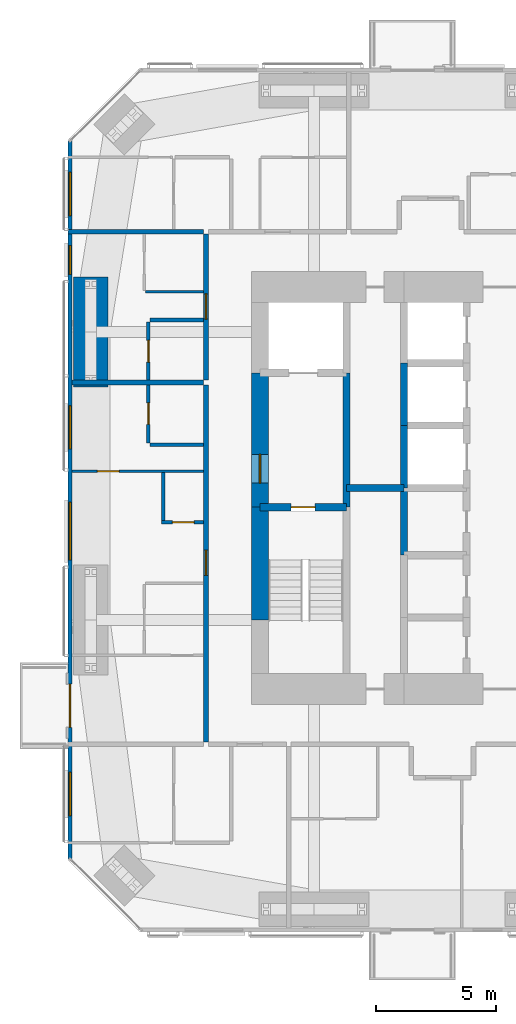
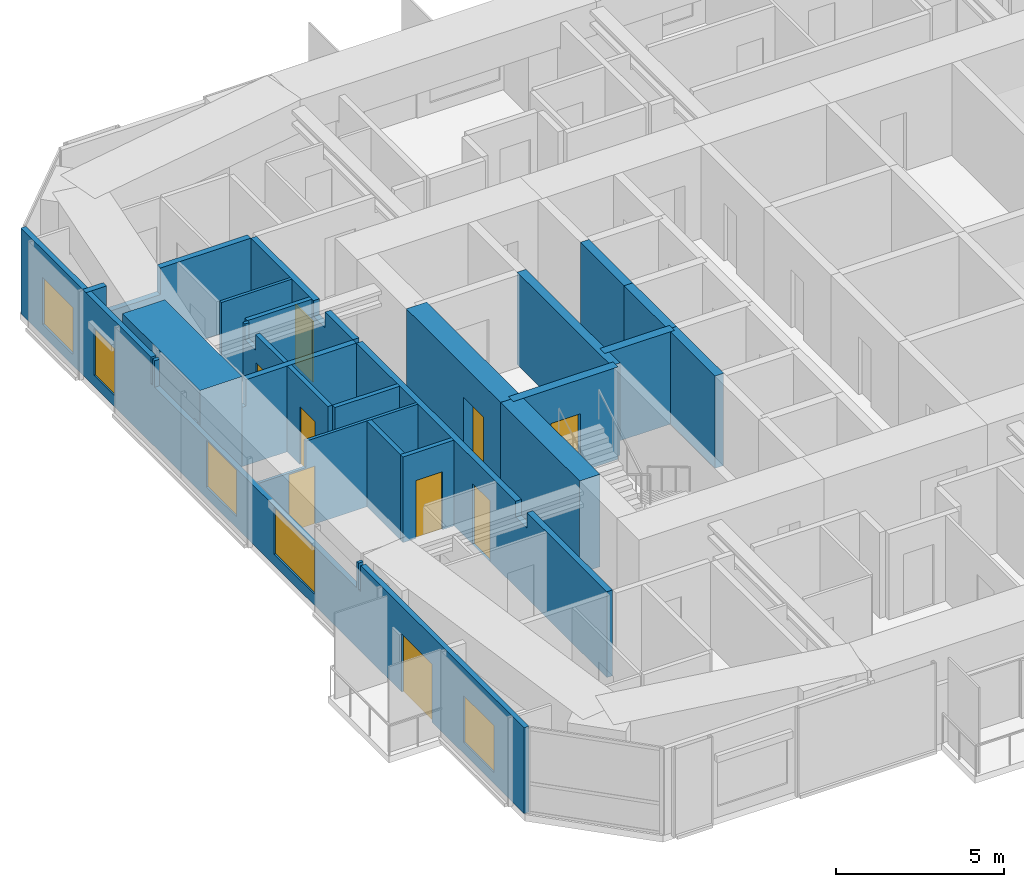
# One storey, part 17 of 23: 22 walls, 9 doors, 5 windows, 14 openings.
"""IFC4 building model written with IfcOpenShell, lengths in metres."""

import ifcopenshell
import ifcopenshell.guid

model = None  # the IFC model being written
_history = None  # IfcOwnerHistory: only IFC2X3 demands one
_inside = {}  # id of a spatial element -> (the spatial element, [elements in it])
_under = {}  # id of a project, library or spatial element -> (it, [spatial elements below it])
_declared = {}  # id of a project -> (the project, [libraries it declares])
_typed = {}  # id of a type object -> (the type object, [elements of that type])
_made_of = {}  # id of a material, layer set ... -> (it, [elements and type objects made of it])


def new_model(schema):
    """Start an empty IFC model of exactly this schema.

    Asked for "IFC4X3", IfcOpenShell would pick the latest addendum, in which some entities
    have other attributes; the version numbers below select the first issue.
    IFC2X3 requires an IfcOwnerHistory on every rooted entity: one is made here for all.
    """
    global model, _history
    if schema == "IFC4X3":
        model = ifcopenshell.file(schema_version=(4, 3, 0, 0))
    else:
        model = ifcopenshell.file(schema=schema)
    _inside.clear()
    _under.clear()
    _declared.clear()
    _typed.clear()
    _made_of.clear()
    _history = None
    if model.schema == "IFC2X3":
        org = make("IfcOrganization", Name="unknown")
        user = make(
            "IfcPersonAndOrganization",
            ThePerson=make("IfcPerson", FamilyName="unknown"),
            TheOrganization=org,
        )
        app = make(
            "IfcApplication",
            ApplicationDeveloper=org,
            Version="unknown",
            ApplicationFullName="unknown",
            ApplicationIdentifier="unknown",
        )
        _history = make(
            "IfcOwnerHistory",
            OwningUser=user,
            OwningApplication=app,
            ChangeAction="ADDED",
            CreationDate=0,
        )
    return model


def make(cls, **values):
    """One entity of the class cls with the attributes given. An attribute that is None is left unset."""
    return model.create_entity(
        cls, **{name: value for name, value in values.items() if value is not None}
    )


def rooted(cls, **values):
    """An entity with a GlobalId (a new one), such as an element, a storey or a relation."""
    return make(cls, GlobalId=ifcopenshell.guid.new(), OwnerHistory=_history, **values)


def si_unit(unit_type, name, prefix=None):
    """IfcSIUnit, for example si_unit("LENGTHUNIT", "METRE", prefix="MILLI")."""
    return make("IfcSIUnit", UnitType=unit_type, Prefix=prefix, Name=name)


def assignment(units):
    """IfcUnitAssignment: the units of a project."""
    return None if units is None else make("IfcUnitAssignment", Units=units)


def point(xyz):
    """IfcCartesianPoint."""
    return None if xyz is None else make("IfcCartesianPoint", Coordinates=xyz)


def direction(xyz):
    """IfcDirection."""
    return None if xyz is None else make("IfcDirection", DirectionRatios=xyz)


def frame(location, z_axis=None, x_axis=None):
    """IfcAxis2Placement3D, a coordinate frame: its origin and axes. An axis left out is left unset."""
    return make(
        "IfcAxis2Placement3D",
        Location=point(location),
        Axis=direction(z_axis),
        RefDirection=direction(x_axis),
    )


def frame_2d(location, x_axis=None):
    """IfcAxis2Placement2D, a coordinate frame in the plane: its origin and x axis."""
    return make(
        "IfcAxis2Placement2D", Location=point(location), RefDirection=direction(x_axis)
    )


def origin():
    """The frame at (0, 0, 0) with its axes left unset."""
    return frame((0.0, 0.0, 0.0))


def place(relative_to, where):
    """IfcLocalPlacement: puts the frame where relative to a parent placement (None: the world)."""
    return make(
        "IfcLocalPlacement", PlacementRelTo=relative_to, RelativePlacement=where
    )


def context(
    kind, dimensions, precision=None, world=None, true_north=None, identifier=None
):
    """IfcGeometricRepresentationContext, for example the 3D "Model" context."""
    return make(
        "IfcGeometricRepresentationContext",
        ContextIdentifier=identifier,
        ContextType=kind,
        CoordinateSpaceDimension=dimensions,
        Precision=precision,
        WorldCoordinateSystem=world,
        TrueNorth=true_north,
    )


def subcontext(parent, identifier, kind, view, scale=None):
    """IfcGeometricRepresentationSubContext, for example "Body" below "Model"."""
    return make(
        "IfcGeometricRepresentationSubContext",
        ContextIdentifier=identifier,
        ContextType=kind,
        ParentContext=parent,
        TargetScale=scale,
        TargetView=view,
    )


def project(units=None, contexts=None):
    """IfcProject with its units and contexts."""
    return rooted(
        "IfcProject",
        Name="project",
        RepresentationContexts=contexts,
        UnitsInContext=assignment(units),
    )


def spatial(cls, under=None, at=None, **own):
    """A site, building, storey or space (cls), placed at a placement, below another one or the project."""
    s = rooted(cls, ObjectPlacement=at, **own)
    if under is not None:
        _under.setdefault(under.id(), (under, []))[1].append(s)
    return s


def polyline(points):
    """IfcPolyline through the points."""
    return make("IfcPolyline", Points=[point(p) for p in points])


def profile(cls, at=None, kind="AREA", **sizes):
    """A parametric profile (cls). Its sizes go by their IFC names, for example OverallWidth=200.0."""
    return make(cls, ProfileType=kind, Position=at, **sizes)


def rectangle(**sizes):
    """IfcRectangleProfileDef."""
    return profile("IfcRectangleProfileDef", **sizes)


def outline(outer, holes=None, kind="AREA"):
    """IfcArbitraryClosedProfileDef: a profile drawn as a closed curve; with holes, ...WithVoids."""
    if holes is None:
        return make("IfcArbitraryClosedProfileDef", ProfileType=kind, OuterCurve=outer)
    return make(
        "IfcArbitraryProfileDefWithVoids",
        ProfileType=kind,
        OuterCurve=outer,
        InnerCurves=holes,
    )


def extrude(swept, where, along, depth):
    """IfcExtrudedAreaSolid: the profile swept, set in the frame where, extruded along a direction by depth."""
    return make(
        "IfcExtrudedAreaSolid",
        SweptArea=swept,
        Position=where,
        ExtrudedDirection=direction(along),
        Depth=depth,
    )


def shape(context_of_items, identifier, shape_type, items):
    """IfcShapeRepresentation: the items that make up one representation, for example the "Body"."""
    return make(
        "IfcShapeRepresentation",
        ContextOfItems=context_of_items,
        RepresentationIdentifier=identifier,
        RepresentationType=shape_type,
        Items=items,
    )


def material(Name=None, Category=None):
    """IfcMaterial."""
    return make("IfcMaterial", Name=Name, Category=Category)


def layer(
    of_material, thickness, ventilated=None, Name=None, Category=None, Priority=None
):
    """IfcMaterialLayer: one layer of a wall or slab, of a material (None: an air gap)."""
    return make(
        "IfcMaterialLayer",
        Material=of_material,
        LayerThickness=thickness,
        IsVentilated=ventilated,
        Name=Name,
        Category=Category,
        Priority=Priority,
    )


def layer_set(layers, Name=None):
    """IfcMaterialLayerSet."""
    return make("IfcMaterialLayerSet", MaterialLayers=layers, LayerSetName=Name)


def constituent(of_material, Name=None, Category=None, fraction=None):
    """IfcMaterialConstituent: one of the materials an element consists of."""
    return make(
        "IfcMaterialConstituent",
        Name=Name,
        Material=of_material,
        Fraction=fraction,
        Category=Category,
    )


def constituent_set(constituents=None, Name=None):
    """IfcMaterialConstituentSet."""
    return make(
        "IfcMaterialConstituentSet", Name=Name, MaterialConstituents=constituents
    )


def made_of(thing, what):
    """Note that an element or type object is made of a material, layer set ...; save() writes the relation."""
    if what is not None:
        _made_of.setdefault(what.id(), (what, []))[1].append(thing)
    return thing


def type_object(cls, material=None, **own):
    """A type object (cls), such as IfcWallType, which elements share."""
    return made_of(rooted(cls, **own), material)


def element(
    cls,
    number,
    at=None,
    inside=None,
    cuts=None,
    type_object=None,
    material=None,
    context=None,
    identifier="Body",
    shape_type=None,
    held_by="IfcProductDefinitionShape",
    body=None,
    shapes=None,
    **own,
):
    """One element of the class cls, such as IfcWall. Its Tag is "e" and its number.

    at: its placement. inside: the storey or other place that contains it. cuts: it is an
    opening in that element (IfcRelVoidsElement). A single representation is given by context,
    identifier, shape_type and body (its items); several are given by shapes. held_by: the class
    of the entity that holds the representations. save() writes the other relations.
    """
    e = rooted(cls, Tag="e%d" % number, ObjectPlacement=at, **own)
    if body is not None:
        shapes = [shape(context, identifier, shape_type, body)]
    if shapes is not None:
        e.Representation = make(held_by, Representations=shapes)
    if inside is not None:
        _inside.setdefault(inside.id(), (inside, []))[1].append(e)
    if cuts is not None:
        rooted(
            "IfcRelVoidsElement", RelatingBuildingElement=cuts, RelatedOpeningElement=e
        )
    if type_object is not None:
        _typed.setdefault(type_object.id(), (type_object, []))[1].append(e)
    return made_of(e, material)


def fill(opening, filler):
    """IfcRelFillsElement: the door or window that sits in an opening."""
    return rooted(
        "IfcRelFillsElement",
        RelatingOpeningElement=opening,
        RelatedBuildingElement=filler,
    )


def aggregate(whole, parts):
    """IfcRelAggregates: a whole, such as a stair, and the parts it consists of."""
    return rooted("IfcRelAggregates", RelatingObject=whole, RelatedObjects=parts)


def save(model, path):
    """Write the relations noted so far, then the file.

    IfcRelAggregates (storeys below a building ...), IfcRelContainedInSpatialStructure (elements
    in a storey), IfcRelDefinesByType, IfcRelAssociatesMaterial and IfcRelDeclares: one each for
    every whole, place, type object, material and project.
    """
    for whole, parts in _under.values():
        aggregate(whole, parts)
    for where, things in _inside.values():
        rooted(
            "IfcRelContainedInSpatialStructure",
            RelatedElements=things,
            RelatingStructure=where,
        )
    for kind, things in _typed.values():
        rooted("IfcRelDefinesByType", RelatedObjects=things, RelatingType=kind)
    for what, things in _made_of.values():
        rooted("IfcRelAssociatesMaterial", RelatedObjects=things, RelatingMaterial=what)
    for by, libraries in _declared.values():
        rooted("IfcRelDeclares", RelatingContext=by, RelatedDefinitions=libraries)
    model.write(path)


model = new_model("IFC4")

# Units and contexts
model_context = context("Model", 3, precision=1e-05, world=origin(), true_north=direction((0.0, 1.0)))
body_context = subcontext(model_context, "Body", "Model", "MODEL_VIEW")
ifc_project = project(units=[si_unit("LENGTHUNIT", "METRE"), si_unit("AREAUNIT", "SQUARE_METRE"), si_unit("VOLUMEUNIT", "CUBIC_METRE"), si_unit("PLANEANGLEUNIT", "RADIAN"), si_unit("MASSUNIT", "GRAM", prefix="KILO")], contexts=[model_context])

# Site, building, storey
site_placement = place(None, origin())
site = spatial("IfcSite", under=ifc_project, at=site_placement, CompositionType="ELEMENT")
building_placement = place(site_placement, origin())
building = spatial("IfcBuilding", under=site, at=building_placement, Name="Jalousie Tower", CompositionType="ELEMENT")
storey_placement = place(building_placement, frame((0.0, 0.0, 171.10009765625)))
storey = spatial("IfcBuildingStorey", under=building, at=storey_placement, Name="L46", CompositionType="ELEMENT", Elevation=171.10009765625)

# Wall, opening, door
ifc_material_1 = material(Name="Concrete block ASTM C90", Category="concrete")
ifc_constituent_1 = constituent(ifc_material_1, Name="Body")
ifc_material_2 = material(Name="Render")
ifc_constituent_2 = constituent(ifc_material_2, Name="Finish")
ifc_constituent_set_1 = constituent_set(constituents=[ifc_constituent_1, ifc_constituent_2])
wall_type_1 = type_object("IfcWallType", Name="BATHROOM WALL 150", PredefinedType="PLUMBINGWALL", material=ifc_constituent_set_1)
wall_1_placement = place(storey_placement, frame((15.35009765625, 20.375, 0.0), z_axis=(0.0, 0.0, 1.0), x_axis=(0.0, 1.0, 0.0)))
wall_1 = element("IfcWall", 1, at=wall_1_placement, inside=storey, type_object=wall_type_1, Name="Bathroom Wall 150 L46", PredefinedType="PLUMBINGWALL", context=body_context, shape_type="SweptSolid", body=[
    extrude(rectangle(XDim=2.425048828125, YDim=0.14990234375, at=frame_2d((1.21240234375, 0.0))), origin(), (0.0, 0.0, 1.0), 3.10986328125),
])
opening_1_placement = place(wall_1_placement, frame((0.77490234375, 0.0, 0.0)))
opening_1 = element("IfcOpeningElement", 2, at=opening_1_placement, cuts=wall_1, Name="Opening D3", PredefinedType="OPENING", context=body_context, shape_type="SweptSolid", body=[
    extrude(rectangle(XDim=0.89990234375, YDim=2.10009765625, at=frame_2d((0.449951171875, 1.050048828125))), frame((0.0, 0.0849609375, 0.0), z_axis=(0.0, -1.0, 0.0), x_axis=(1.0, 0.0, 0.0)), (0.0, 0.0, 1.0), 0.169921875),
])
ifc_material_3 = material(Name="Timber door", Category="wood")
door_type_1 = type_object("IfcDoorType", Name="BATHROOM DOOR 900", OperationType="SINGLE_SWING_LEFT", PredefinedType="DOOR", material=ifc_material_3)
door_1_placement = place(opening_1_placement, frame((0.89990234375, 0.0, 0.0), z_axis=(0.0, 0.0, 1.0), x_axis=(-1.0, 0.0, 0.0)))
door_1 = element("IfcDoor", 3, at=door_1_placement, inside=storey, type_object=door_type_1, Name="Apartment 4608 bathroom door", OperationType="SINGLE_SWING_LEFT", OverallHeight=2.10009765625, OverallWidth=0.89990234375, PredefinedType="DOOR", context=body_context, shape_type="SweptSolid", body=[
    extrude(rectangle(XDim=0.89990234375, YDim=2.10009765625, at=frame_2d((0.449951171875, 1.050048828125))), frame((0.0, 0.02490234375, 0.0), z_axis=(0.0, -1.0, 0.0), x_axis=(1.0, 0.0, 0.0)), (0.0, 0.0, 1.0), 0.050048828125),
])
fill(opening_1, door_1)

# Wall
wall_2_placement = place(storey_placement, frame((15.425048828125, 20.300048828125, 0.0), z_axis=(0.0, 0.0, 1.0), x_axis=(1.0, 0.0, 0.0)))
element("IfcWall", 4, at=wall_2_placement, inside=storey, type_object=wall_type_1, Name="Bathroom Wall 150 L46", PredefinedType="PLUMBINGWALL", context=body_context, shape_type="SweptSolid", body=[
    extrude(rectangle(XDim=2.224853515625, YDim=0.14990234375, at=frame_2d((1.1123046875, 0.0))), origin(), (0.0, 0.0, 1.0), 3.10986328125),
])

# Wall, opening, door
wall_3_placement = place(storey_placement, frame((15.35009765625, 23.0, 0.0), z_axis=(0.0, 0.0, 1.0), x_axis=(0.0, 1.0, 0.0)))
wall_3 = element("IfcWall", 5, at=wall_3_placement, inside=storey, type_object=wall_type_1, Name="Bathroom Wall 150 L46", PredefinedType="PLUMBINGWALL", context=body_context, shape_type="SweptSolid", body=[
    extrude(outline(polyline([(0.0, 0.0), (2.425048828125, 0.0), (2.425048828125, 3.10986328125), (2.3125, 3.10986328125), (2.3125, 2.541015625), (1.6875, 2.541015625), (1.6875, 3.10986328125), (0.0, 3.10986328125), (0.0, 0.0)])), frame((0.0, 0.074951171875, 0.0), z_axis=(0.0, -1.0, 0.0), x_axis=(1.0, 0.0, 0.0)), (0.0, 0.0, 1.0), 0.14990234375),
])
opening_2_placement = place(wall_3_placement, frame((0.75, 0.0, 0.0)))
opening_2 = element("IfcOpeningElement", 6, at=opening_2_placement, cuts=wall_3, Name="Opening D3", PredefinedType="OPENING", context=body_context, shape_type="SweptSolid", body=[
    extrude(rectangle(XDim=0.89990234375, YDim=2.10009765625, at=frame_2d((0.449951171875, 1.050048828125))), frame((0.0, 0.0849609375, 0.0), z_axis=(0.0, -1.0, 0.0), x_axis=(1.0, 0.0, 0.0)), (0.0, 0.0, 1.0), 0.169921875),
])
door_2_placement = place(opening_2_placement, frame((0.89990234375, 0.0, 0.0), z_axis=(0.0, 0.0, 1.0), x_axis=(-1.0, 0.0, 0.0)))
door_2 = element("IfcDoor", 7, at=door_2_placement, inside=storey, type_object=door_type_1, Name="Apartment 4609 bathroom door", OperationType="SINGLE_SWING_RIGHT", OverallHeight=2.10009765625, OverallWidth=0.89990234375, PredefinedType="DOOR", context=body_context, shape_type="SweptSolid", body=[
    extrude(rectangle(XDim=0.89990234375, YDim=2.10009765625, at=frame_2d((0.449951171875, 1.050048828125))), frame((0.0, 0.02490234375, 0.0), z_axis=(0.0, -1.0, 0.0), x_axis=(1.0, 0.0, 0.0)), (0.0, 0.0, 1.0), 0.050048828125),
])
fill(opening_2, door_2)

# Wall
wall_4_placement = place(storey_placement, frame((15.425048828125, 25.5, 0.0), z_axis=(0.0, 0.0, 1.0), x_axis=(1.0, 0.0, 0.0)))
element("IfcWall", 8, at=wall_4_placement, inside=storey, type_object=wall_type_1, Name="Bathroom Wall 150 L46", PredefinedType="PLUMBINGWALL", context=body_context, shape_type="SweptSolid", body=[
    extrude(rectangle(XDim=2.224853515625, YDim=0.14990234375, at=frame_2d((1.1123046875, 0.0))), origin(), (0.0, 0.0, 1.0), 3.10986328125),
])

# Wall, opening, door
wall_5_placement = place(storey_placement, frame((17.64990234375, 17.074951171875, 0.0), z_axis=(0.0, 0.0, 1.0), x_axis=(-1.0, 0.0, 0.0)))
wall_5 = element("IfcWall", 9, at=wall_5_placement, inside=storey, type_object=wall_type_1, Name="Bathroom Wall 150 L46", PredefinedType="PLUMBINGWALL", context=body_context, shape_type="SweptSolid", body=[
    extrude(rectangle(XDim=1.75, YDim=0.14990234375, at=frame_2d((0.875, 0.0))), origin(), (0.0, 0.0, 1.0), 3.10986328125),
])
opening_3_placement = place(wall_5_placement, frame((0.39990234375, 0.0, 0.0)))
opening_3 = element("IfcOpeningElement", 10, at=opening_3_placement, cuts=wall_5, Name="Opening D7", PredefinedType="OPENING", context=body_context, shape_type="SweptSolid", body=[
    extrude(rectangle(XDim=0.89990234375, YDim=2.10009765625, at=frame_2d((0.449951171875, 1.050048828125))), frame((0.0, 0.0849609375, 0.0), z_axis=(0.0, -1.0, 0.0), x_axis=(1.0, 0.0, 0.0)), (0.0, 0.0, 1.0), 0.169921875),
])
ifc_material_4 = material(Name="Timber door", Category="wood")
door_type_2 = type_object("IfcDoorType", Name="INTERNAL DOOR 900", OperationType="SINGLE_SWING_LEFT", PredefinedType="DOOR", material=ifc_material_4)
door_3_placement = place(opening_3_placement, frame((0.89990234375, 0.0, 0.0), z_axis=(0.0, 0.0, 1.0), x_axis=(-1.0, 0.0, 0.0)))
door_3 = element("IfcDoor", 11, at=door_3_placement, inside=storey, type_object=door_type_2, Name="Apartment 4608 guest WC door", OperationType="SINGLE_SWING_LEFT", OverallHeight=2.10009765625, OverallWidth=0.89990234375, PredefinedType="DOOR", context=body_context, shape_type="SweptSolid", body=[
    extrude(rectangle(XDim=0.89990234375, YDim=2.10009765625, at=frame_2d((0.449951171875, 1.050048828125))), frame((0.0, 0.02490234375, 0.0), z_axis=(0.0, -1.0, 0.0), x_axis=(1.0, 0.0, 0.0)), (0.0, 0.0, 1.0), 0.050048828125),
])
fill(opening_3, door_3)

# Walls
wall_6_placement = place(storey_placement, frame((15.97509765625, 19.14990234375, 0.0), z_axis=(0.0, 0.0, 1.0), x_axis=(0.0, -1.0, 0.0)))
element("IfcWall", 12, at=wall_6_placement, inside=storey, type_object=wall_type_1, Name="Bathroom Wall 150 L46", PredefinedType="PLUMBINGWALL", context=body_context, shape_type="SweptSolid", body=[
    extrude(rectangle(XDim=2.0, YDim=0.14990234375, at=frame_2d((1.0, 0.0))), origin(), (0.0, 0.0, 1.0), 3.10986328125),
])
ifc_material_5 = material(Name="Concrete f'c 120 MPa", Category="concrete")
ifc_layer_1 = layer(ifc_material_5, 0.300048828125)
ifc_layer_set_1 = layer_set([ifc_layer_1], Name="Concrete f'c 120 MPa")
wall_type_2 = type_object("IfcWallType", Name="CORE WALL 300", PredefinedType="SHEAR", material=ifc_layer_set_1)
wall_7_placement = place(storey_placement, frame((23.60009765625, 17.699951171875, 0.0), z_axis=(0.0, 0.0, 1.0), x_axis=(0.0, 1.0, 0.0)))
element("IfcWall", 13, at=wall_7_placement, inside=storey, type_object=wall_type_2, Name="Core wall X23.6B L46", PredefinedType="SHEAR", context=body_context, shape_type="SweptSolid", body=[
    extrude(rectangle(XDim=5.60009765625, YDim=0.300048828125, at=frame_2d((2.800048828125, 0.0))), origin(), (0.0, 0.0, 1.0), 3.349853515625),
])
wall_8_placement = place(storey_placement, frame((26.0, 15.699951171875, 0.0), z_axis=(0.0, 0.0, 1.0), x_axis=(0.0, 1.0, 0.0)))
element("IfcWall", 14, at=wall_8_placement, inside=storey, type_object=wall_type_2, Name="Core wall X26C L46", PredefinedType="SHEAR", context=body_context, shape_type="SweptSolid", body=[
    extrude(rectangle(XDim=2.800048828125, YDim=0.300048828125, at=frame_2d((1.39990234375, 0.0))), origin(), (0.0, 0.0, 1.0), 3.349853515625),
])
wall_9_placement = place(storey_placement, frame((26.0, 18.5, 0.0), z_axis=(0.0, 0.0, 1.0), x_axis=(0.0, 1.0, 0.0)))
element("IfcWall", 15, at=wall_9_placement, inside=storey, type_object=wall_type_2, Name="Core wall X26D L46", PredefinedType="SHEAR", context=body_context, shape_type="SweptSolid", body=[
    extrude(rectangle(XDim=2.60009765625, YDim=0.300048828125, at=frame_2d((1.300048828125, 0.0))), origin(), (0.0, 0.0, 1.0), 3.349853515625),
])
wall_10_placement = place(storey_placement, frame((26.0, 21.10009765625, 0.0), z_axis=(0.0, 0.0, 1.0), x_axis=(0.0, 1.0, 0.0)))
element("IfcWall", 16, at=wall_10_placement, inside=storey, type_object=wall_type_2, Name="Core wall X26E L46", PredefinedType="SHEAR", context=body_context, shape_type="SweptSolid", body=[
    extrude(rectangle(XDim=2.599853515625, YDim=0.300048828125, at=frame_2d((1.2998046875, 0.0))), origin(), (0.0, 0.0, 1.0), 3.349853515625),
])

# Wall, opening, door
wall_11_placement = place(storey_placement, frame((20.0, 17.699951171875, 0.0), z_axis=(0.0, 0.0, 1.0), x_axis=(1.0, 0.0, 0.0)))
wall_11 = element("IfcWall", 17, at=wall_11_placement, inside=storey, type_object=wall_type_2, Name="Core wall Y20-17.7 L46", PredefinedType="SHEAR", context=body_context, shape_type="SweptSolid", body=[
    extrude(rectangle(XDim=3.60009765625, YDim=0.300048828125, at=frame_2d((1.800048828125, 0.0))), origin(), (0.0, 0.0, 1.0), 3.349853515625),
])
opening_4_placement = place(wall_11_placement, frame((1.300048828125, 0.0, 0.0)))
opening_4 = element("IfcOpeningElement", 18, at=opening_4_placement, cuts=wall_11, Name="Opening D10", PredefinedType="OPENING", context=body_context, shape_type="SweptSolid", body=[
    extrude(rectangle(XDim=1.0, YDim=2.10009765625, at=frame_2d((0.5, 1.050048828125))), frame((0.0, 0.159912109375, 0.0), z_axis=(0.0, -1.0, 0.0), x_axis=(1.0, 0.0, 0.0)), (0.0, 0.0, 1.0), 0.320068359375),
])
ifc_material_6 = material(Name="Steel fire door", Category="steel")
door_type_3 = type_object("IfcDoorType", Name="STAIR DOOR 1000", OperationType="SINGLE_SWING_LEFT", PredefinedType="DOOR", material=ifc_material_6)
door_4_placement = place(opening_4_placement, frame((1.0, 0.0, 0.0), z_axis=(0.0, 0.0, 1.0), x_axis=(-1.0, 0.0, 0.0)))
door_4 = element("IfcDoor", 19, at=door_4_placement, inside=storey, type_object=door_type_3, Name="Exit stair A door", OperationType="SINGLE_SWING_RIGHT", OverallHeight=2.10009765625, OverallWidth=1.0, PredefinedType="DOOR", context=body_context, shape_type="SweptSolid", body=[
    extrude(rectangle(XDim=1.0, YDim=2.10009765625, at=frame_2d((0.5, 1.050048828125))), frame((0.0, 0.02490234375, 0.0), z_axis=(0.0, -1.0, 0.0), x_axis=(1.0, 0.0, 0.0)), (0.0, 0.0, 1.0), 0.050048828125),
])
fill(opening_4, door_4)

# Wall
wall_12_placement = place(storey_placement, frame((23.60009765625, 18.5, 0.0), z_axis=(0.0, 0.0, 1.0), x_axis=(1.0, 0.0, 0.0)))
element("IfcWall", 20, at=wall_12_placement, inside=storey, type_object=wall_type_2, Name="Core wall Y23.6-18.5 L46", PredefinedType="SHEAR", context=body_context, shape_type="SweptSolid", body=[
    extrude(rectangle(XDim=2.39990234375, YDim=0.300048828125, at=frame_2d((1.199951171875, 0.0))), origin(), (0.0, 0.0, 1.0), 3.349853515625),
])

# Wall, opening, door
ifc_material_7 = material(Name="Concrete f'c 120 MPa", Category="concrete")
ifc_layer_2 = layer(ifc_material_7, 0.699951171875)
ifc_layer_set_2 = layer_set([ifc_layer_2], Name="Concrete f'c 120 MPa")
wall_type_3 = type_object("IfcWallType", Name="CORE WALL 700", PredefinedType="SHEAR", material=ifc_layer_set_2)
wall_13_placement = place(storey_placement, frame((20.0, 23.300048828125, 0.0), z_axis=(0.0, 0.0, 1.0), x_axis=(0.0, -1.0, 0.0)))
wall_13 = element("IfcWall", 21, at=wall_13_placement, inside=storey, type_object=wall_type_3, Name="Core wall WB L46", PredefinedType="SHEAR", context=body_context, shape_type="SweptSolid", body=[
    extrude(rectangle(XDim=5.60009765625, YDim=0.699951171875, at=frame_2d((2.800048828125, 0.0))), origin(), (0.0, 0.0, 1.0), 3.349853515625),
])
opening_5_placement = place(wall_13_placement, frame((3.39990234375, 0.0, 0.0)))
opening_5 = element("IfcOpeningElement", 22, at=opening_5_placement, cuts=wall_13, Name="Opening D11", PredefinedType="OPENING", context=body_context, shape_type="SweptSolid", body=[
    extrude(rectangle(XDim=1.199951171875, YDim=2.199951171875, at=frame_2d((0.60009765625, 1.10009765625))), frame((0.0, 0.35986328125, 0.0), z_axis=(0.0, -1.0, 0.0), x_axis=(1.0, 0.0, 0.0)), (0.0, 0.0, 1.0), 0.719970703125),
])
ifc_material_8 = material(Name="Steel fire door", Category="steel")
door_type_4 = type_object("IfcDoorType", Name="FIRE DOOR 1200", OperationType="SINGLE_SWING_LEFT", PredefinedType="DOOR", material=ifc_material_8)
door_5_placement = place(opening_5_placement, origin())
door_5 = element("IfcDoor", 23, at=door_5_placement, inside=storey, type_object=door_type_4, Name="Fire-fighting lobby A door", OperationType="SINGLE_SWING_RIGHT", OverallHeight=2.199951171875, OverallWidth=1.199951171875, PredefinedType="DOOR", context=body_context, shape_type="SweptSolid", body=[
    extrude(rectangle(XDim=1.199951171875, YDim=2.199951171875, at=frame_2d((0.60009765625, 1.10009765625))), frame((0.0, 0.02490234375, 0.0), z_axis=(0.0, -1.0, 0.0), x_axis=(1.0, 0.0, 0.0)), (0.0, 0.0, 1.0), 0.050048828125),
])
fill(opening_5, door_5)

# Wall
wall_14_placement = place(storey_placement, frame((20.0, 17.699951171875, 0.0), z_axis=(0.0, 0.0, 1.0), x_axis=(0.0, -1.0, 0.0)))
element("IfcWall", 24, at=wall_14_placement, inside=storey, type_object=wall_type_3, Name="Core wall WC L46", PredefinedType="SHEAR", context=body_context, shape_type="SweptSolid", body=[
    extrude(rectangle(XDim=4.699951171875, YDim=0.699951171875, at=frame_2d((2.35009765625, 0.0))), origin(), (0.0, 0.0, 1.0), 3.349853515625),
])

# Wall, opening, door
ifc_material_9 = material(Name="Concrete block ASTM C90", Category="concrete")
ifc_constituent_3 = constituent(ifc_material_9, Name="Body")
ifc_material_10 = material(Name="Render")
ifc_constituent_4 = constituent(ifc_material_10, Name="Finish")
ifc_constituent_set_2 = constituent_set(constituents=[ifc_constituent_3, ifc_constituent_4])
wall_type_4 = type_object("IfcWallType", Name="CORRIDOR WALL 200", PredefinedType="PARTITIONING", material=ifc_constituent_set_2)
wall_15_placement = place(storey_placement, frame((17.75, 7.925048828125, 0.0), z_axis=(0.0, 0.0, 1.0), x_axis=(0.0, 1.0, 0.0)))
wall_15 = element("IfcWall", 25, at=wall_15_placement, inside=storey, type_object=wall_type_4, Name="Corridor Wall 200 L46", PredefinedType="PARTITIONING", context=body_context, shape_type="SweptSolid", body=[
    extrude(outline(polyline([(0.0, 0.0), (14.875, 0.0), (14.875, 3.10986328125), (5.412353515625, 3.10986328125), (5.412353515625, 2.541015625), (4.73779296875, 2.541015625), (4.73779296875, 3.10986328125), (0.0, 3.10986328125), (0.0, 0.0)])), frame((0.0, 0.10009765625, 0.0), z_axis=(0.0, -1.0, 0.0), x_axis=(1.0, 0.0, 0.0)), (0.0, 0.0, 1.0), 0.199951171875),
])
opening_6_placement = place(wall_15_placement, frame((6.9375, 0.0, 0.0)))
opening_6 = element("IfcOpeningElement", 26, at=opening_6_placement, cuts=wall_15, Name="Opening D1", PredefinedType="OPENING", context=body_context, shape_type="SweptSolid", body=[
    extrude(rectangle(XDim=1.050048828125, YDim=2.199951171875, at=frame_2d((0.52490234375, 1.10009765625))), frame((0.0, 0.10986328125, 0.0), z_axis=(0.0, -1.0, 0.0), x_axis=(1.0, 0.0, 0.0)), (0.0, 0.0, 1.0), 0.219970703125),
])
ifc_material_11 = material(Name="Timber fire door", Category="wood")
door_type_5 = type_object("IfcDoorType", Name="APARTMENT ENTRANCE DOOR 1050", OperationType="SINGLE_SWING_LEFT", PredefinedType="DOOR", material=ifc_material_11)
door_6_placement = place(opening_6_placement, origin())
door_6 = element("IfcDoor", 27, at=door_6_placement, inside=storey, type_object=door_type_5, Name="Apartment 4608 entrance", OperationType="SINGLE_SWING_LEFT", OverallHeight=2.199951171875, OverallWidth=1.050048828125, PredefinedType="DOOR", context=body_context, shape_type="SweptSolid", body=[
    extrude(rectangle(XDim=1.050048828125, YDim=2.199951171875, at=frame_2d((0.52490234375, 1.10009765625))), frame((0.0, 0.02490234375, 0.0), z_axis=(0.0, -1.0, 0.0), x_axis=(1.0, 0.0, 0.0)), (0.0, 0.0, 1.0), 0.050048828125),
])
fill(opening_6, door_6)

wall_16_placement = place(storey_placement, frame((17.75, 23.0, 0.0), z_axis=(0.0, 0.0, 1.0), x_axis=(0.0, 1.0, 0.0)))
wall_16 = element("IfcWall", 28, at=wall_16_placement, inside=storey, type_object=wall_type_4, Name="Corridor Wall 200 L46", PredefinedType="PARTITIONING", context=body_context, shape_type="SweptSolid", body=[
    extrude(outline(polyline([(0.0, 0.0), (6.074951171875, 0.0), (6.074951171875, 3.10986328125), (2.33740234375, 3.10986328125), (2.33740234375, 2.541015625), (1.66259765625, 2.541015625), (1.66259765625, 3.10986328125), (0.0, 3.10986328125), (0.0, 0.0)])), frame((0.0, 0.10009765625, 0.0), z_axis=(0.0, -1.0, 0.0), x_axis=(1.0, 0.0, 0.0)), (0.0, 0.0, 1.0), 0.199951171875),
])
opening_7_placement = place(wall_16_placement, frame((2.53759765625, 0.0, 0.0)))
opening_7 = element("IfcOpeningElement", 29, at=opening_7_placement, cuts=wall_16, Name="Opening D1", PredefinedType="OPENING", context=body_context, shape_type="SweptSolid", body=[
    extrude(rectangle(XDim=1.050048828125, YDim=2.199951171875, at=frame_2d((0.52490234375, 1.10009765625))), frame((0.0, 0.10986328125, 0.0), z_axis=(0.0, -1.0, 0.0), x_axis=(1.0, 0.0, 0.0)), (0.0, 0.0, 1.0), 0.219970703125),
])
door_7_placement = place(opening_7_placement, origin())
door_7 = element("IfcDoor", 30, at=door_7_placement, inside=storey, type_object=door_type_5, Name="Apartment 4609 entrance", OperationType="SINGLE_SWING_LEFT", OverallHeight=2.199951171875, OverallWidth=1.050048828125, PredefinedType="DOOR", context=body_context, shape_type="SweptSolid", body=[
    extrude(rectangle(XDim=1.050048828125, YDim=2.199951171875, at=frame_2d((0.52490234375, 1.10009765625))), frame((0.0, 0.02490234375, 0.0), z_axis=(0.0, -1.0, 0.0), x_axis=(1.0, 0.0, 0.0)), (0.0, 0.0, 1.0), 0.050048828125),
])
fill(opening_7, door_7)

# Wall, openings, door, windows
ifc_material_12 = material(Name="Concrete f'c 40 MPa", Category="concrete")
ifc_constituent_5 = constituent(ifc_material_12, Name="Body")
ifc_material_13 = material(Name="Render, pastel lemon")
ifc_constituent_6 = constituent(ifc_material_13, Name="Finish")
ifc_constituent_set_3 = constituent_set(constituents=[ifc_constituent_5, ifc_constituent_6])
wall_type_5 = type_object("IfcWallType", Name="EXTERNAL WALL 175 LEMON RENDER", PredefinedType="SOLIDWALL", material=ifc_constituent_set_3)
wall_17_placement = place(storey_placement, frame((12.08740234375, 32.94873046875, 0.0), z_axis=(0.0, 0.0, 1.0), x_axis=(0.0, -1.0, 0.0)))
wall_17 = element("IfcWall", 31, at=wall_17_placement, inside=storey, type_object=wall_type_5, Name="External Wall 175 Lemon Render L46", PredefinedType="SOLIDWALL", context=body_context, shape_type="SweptSolid", body=[
    extrude(outline(polyline([(0.0, 0.0), (29.8974609375, 0.0), (29.8974609375, 3.10986328125), (20.19140625, 3.10986328125), (20.19140625, 2.14990234375), (20.050537109375, 2.14990234375), (20.050537109375, 3.10986328125), (19.94873046875, 3.10986328125), (19.94873046875, 2.14990234375), (7.94873046875, 2.14990234375), (7.94873046875, 3.10986328125), (7.823486328125, 3.10986328125), (7.823486328125, 2.14990234375), (7.729736328125, 2.14990234375), (7.729736328125, 3.10986328125), (0.0, 3.10986328125), (0.0, 0.0)])), frame((0.0, 0.08740234375, 0.0), z_axis=(0.0, -1.0, 0.0), x_axis=(1.0, 0.0, 0.0)), (0.0, 0.0, 1.0), 0.175048828125),
])
opening_8_placement = place(wall_17_placement, frame((1.296875, 0.0, 0.39990234375)))
opening_8 = element("IfcOpeningElement", 32, at=opening_8_placement, cuts=wall_17, Name="Opening W-BED170", PredefinedType="OPENING", context=body_context, shape_type="SweptSolid", body=[
    extrude(rectangle(XDim=1.800048828125, YDim=1.699951171875, at=frame_2d((0.89990234375, 0.85009765625))), frame((0.0, 0.097412109375, 0.0), z_axis=(0.0, -1.0, 0.0), x_axis=(1.0, 0.0, 0.0)), (0.0, 0.0, 1.0), 0.195068359375),
])
opening_9_placement = place(wall_17_placement, frame((4.3486328125, 0.0, 0.39990234375)))
opening_9 = element("IfcOpeningElement", 33, at=opening_9_placement, cuts=wall_17, Name="Opening W-COR170", PredefinedType="OPENING", context=body_context, shape_type="SweptSolid", body=[
    extrude(rectangle(XDim=1.199951171875, YDim=1.699951171875, at=frame_2d((0.60009765625, 0.85009765625))), frame((0.0, 0.097412109375, 0.0), z_axis=(0.0, -1.0, 0.0), x_axis=(1.0, 0.0, 0.0)), (0.0, 0.0, 1.0), 0.195068359375),
])
opening_10_placement = place(wall_17_placement, frame((11.023681640625, 0.0, 0.39990234375)))
opening_10 = element("IfcOpeningElement", 34, at=opening_10_placement, cuts=wall_17, Name="Opening W-BED170", PredefinedType="OPENING", context=body_context, shape_type="SweptSolid", body=[
    extrude(rectangle(XDim=1.800048828125, YDim=1.699951171875, at=frame_2d((0.89990234375, 0.85009765625))), frame((0.0, 0.097412109375, 0.0), z_axis=(0.0, -1.0, 0.0), x_axis=(1.0, 0.0, 0.0)), (0.0, 0.0, 1.0), 0.195068359375),
])
opening_11_placement = place(wall_17_placement, frame((15.043701171875, 0.0, 0.39990234375)))
opening_11 = element("IfcOpeningElement", 35, at=opening_11_placement, cuts=wall_17, Name="Opening W-LIV170", PredefinedType="OPENING", context=body_context, shape_type="SweptSolid", body=[
    extrude(rectangle(XDim=2.39990234375, YDim=1.699951171875, at=frame_2d((1.199951171875, 0.85009765625))), frame((0.0, 0.097412109375, 0.0), z_axis=(0.0, -1.0, 0.0), x_axis=(1.0, 0.0, 0.0)), (0.0, 0.0, 1.0), 0.195068359375),
])
opening_12_placement = place(wall_17_placement, frame((22.623779296875, 0.0, 0.0)))
opening_12 = element("IfcOpeningElement", 36, at=opening_12_placement, cuts=wall_17, Name="Opening D-BAL21", PredefinedType="OPENING", context=body_context, shape_type="SweptSolid", body=[
    extrude(rectangle(XDim=1.800048828125, YDim=2.10009765625, at=frame_2d((0.89990234375, 1.050048828125))), frame((0.0, 0.097412109375, 0.0), z_axis=(0.0, -1.0, 0.0), x_axis=(1.0, 0.0, 0.0)), (0.0, 0.0, 1.0), 0.195068359375),
])
opening_13_placement = place(wall_17_placement, frame((26.300537109375, 0.0, 0.39990234375)))
opening_13 = element("IfcOpeningElement", 37, at=opening_13_placement, cuts=wall_17, Name="Opening W-BED170", PredefinedType="OPENING", context=body_context, shape_type="SweptSolid", body=[
    extrude(rectangle(XDim=1.800048828125, YDim=1.699951171875, at=frame_2d((0.89990234375, 0.85009765625))), frame((0.0, 0.097412109375, 0.0), z_axis=(0.0, -1.0, 0.0), x_axis=(1.0, 0.0, 0.0)), (0.0, 0.0, 1.0), 0.195068359375),
])
ifc_material_14 = material(Name="Aluminium frame, impact-rated glazing", Category="aluminium")
door_type_6 = type_object("IfcDoorType", Name="BALCONY DOOR 1800x2100", OperationType="SLIDING_TO_LEFT", PredefinedType="DOOR", material=ifc_material_14)
door_8_placement = place(opening_12_placement, origin())
door_8 = element("IfcDoor", 38, at=door_8_placement, inside=storey, type_object=door_type_6, Name="Apartment 4608 bedroom 1 balcony door", OperationType="SLIDING_TO_LEFT", OverallHeight=2.10009765625, OverallWidth=1.800048828125, PredefinedType="DOOR", context=body_context, shape_type="SweptSolid", body=[
    extrude(rectangle(XDim=1.800048828125, YDim=2.10009765625, at=frame_2d((0.89990234375, 1.050048828125))), frame((0.0, 0.02490234375, 0.0), z_axis=(0.0, -1.0, 0.0), x_axis=(1.0, 0.0, 0.0)), (0.0, 0.0, 1.0), 0.050048828125),
])
fill(opening_12, door_8)
ifc_material_15 = material(Name="Aluminium frame, impact-rated glazing", Category="aluminium")
window_type_1 = type_object("IfcWindowType", Name="WINDOW BED 1800x1700", PartitioningType="SINGLE_PANEL", PredefinedType="WINDOW", material=ifc_material_15)
window_1_placement = place(opening_8_placement, origin())
window_1 = element("IfcWindow", 39, at=window_1_placement, inside=storey, type_object=window_type_1, Name="Apartment 4605 bedroom 1 window", OverallHeight=1.699951171875, OverallWidth=1.800048828125, PartitioningType="SINGLE_PANEL", PredefinedType="WINDOW", context=body_context, shape_type="SweptSolid", body=[
    extrude(rectangle(XDim=1.800048828125, YDim=1.699951171875, at=frame_2d((0.89990234375, 0.85009765625))), frame((0.0, 0.030029296875, 0.0), z_axis=(0.0, -1.0, 0.0), x_axis=(1.0, 0.0, 0.0)), (0.0, 0.0, 1.0), 0.06005859375),
])
fill(opening_8, window_1)
window_2_placement = place(opening_10_placement, origin())
window_2 = element("IfcWindow", 40, at=window_2_placement, inside=storey, type_object=window_type_1, Name="Apartment 4608 bedroom 2 window", OverallHeight=1.699951171875, OverallWidth=1.800048828125, PartitioningType="SINGLE_PANEL", PredefinedType="WINDOW", context=body_context, shape_type="SweptSolid", body=[
    extrude(rectangle(XDim=1.800048828125, YDim=1.699951171875, at=frame_2d((0.89990234375, 0.85009765625))), frame((0.0, 0.030029296875, 0.0), z_axis=(0.0, -1.0, 0.0), x_axis=(1.0, 0.0, 0.0)), (0.0, 0.0, 1.0), 0.06005859375),
])
fill(opening_10, window_2)
window_3_placement = place(opening_13_placement, origin())
window_3 = element("IfcWindow", 41, at=window_3_placement, inside=storey, type_object=window_type_1, Name="Apartment 4601 bedroom 1 window", OverallHeight=1.699951171875, OverallWidth=1.800048828125, PartitioningType="SINGLE_PANEL", PredefinedType="WINDOW", context=body_context, shape_type="SweptSolid", body=[
    extrude(rectangle(XDim=1.800048828125, YDim=1.699951171875, at=frame_2d((0.89990234375, 0.85009765625))), frame((0.0, 0.030029296875, 0.0), z_axis=(0.0, -1.0, 0.0), x_axis=(1.0, 0.0, 0.0)), (0.0, 0.0, 1.0), 0.06005859375),
])
fill(opening_13, window_3)
ifc_material_16 = material(Name="Aluminium frame, impact-rated glazing", Category="aluminium")
window_type_2 = type_object("IfcWindowType", Name="WINDOW COR 1200x1700", PartitioningType="SINGLE_PANEL", PredefinedType="WINDOW", material=ifc_material_16)
window_4_placement = place(opening_9_placement, origin())
window_4 = element("IfcWindow", 42, at=window_4_placement, inside=storey, type_object=window_type_2, Name="Apartment 4609 studio living and sleeping room window", OverallHeight=1.699951171875, OverallWidth=1.199951171875, PartitioningType="SINGLE_PANEL", PredefinedType="WINDOW", context=body_context, shape_type="SweptSolid", body=[
    extrude(rectangle(XDim=1.199951171875, YDim=1.699951171875, at=frame_2d((0.60009765625, 0.85009765625))), frame((0.0, 0.030029296875, 0.0), z_axis=(0.0, -1.0, 0.0), x_axis=(1.0, 0.0, 0.0)), (0.0, 0.0, 1.0), 0.06005859375),
])
fill(opening_9, window_4)
ifc_material_17 = material(Name="Aluminium frame, impact-rated glazing", Category="aluminium")
window_type_3 = type_object("IfcWindowType", Name="WINDOW LIV 2400x1700", PartitioningType="DOUBLE_PANEL_VERTICAL", PredefinedType="WINDOW", material=ifc_material_17)
window_5_placement = place(opening_11_placement, origin())
window_5 = element("IfcWindow", 43, at=window_5_placement, inside=storey, type_object=window_type_3, Name="Apartment 4608 living and dining room window", OverallHeight=1.699951171875, OverallWidth=2.39990234375, PartitioningType="SINGLE_PANEL", PredefinedType="WINDOW", context=body_context, shape_type="SweptSolid", body=[
    extrude(rectangle(XDim=2.39990234375, YDim=1.699951171875, at=frame_2d((1.199951171875, 0.85009765625))), frame((0.0, 0.030029296875, 0.0), z_axis=(0.0, -1.0, 0.0), x_axis=(1.0, 0.0, 0.0)), (0.0, 0.0, 1.0), 0.06005859375),
])
fill(opening_11, window_5)

# Wall, opening, door
ifc_material_18 = material(Name="Gypsum board", Category="gypsum")
ifc_constituent_7 = constituent(ifc_material_18, Name="Body")
ifc_material_19 = material(Name="Light-gauge steel studs ASTM A653 SS Grade 33", Category="steel")
ifc_constituent_8 = constituent(ifc_material_19, Name="Framing")
ifc_constituent_set_4 = constituent_set(constituents=[ifc_constituent_7, ifc_constituent_8])
wall_type_6 = type_object("IfcWallType", Name="PARTITION 100", PredefinedType="PARTITIONING", material=ifc_constituent_set_4)
wall_18_placement = place(storey_placement, frame((12.175048828125, 19.199951171875, 0.0), z_axis=(0.0, 0.0, 1.0), x_axis=(1.0, 0.0, 0.0)))
wall_18 = element("IfcWall", 44, at=wall_18_placement, inside=storey, type_object=wall_type_6, Name="Partition 100 L46", PredefinedType="PARTITIONING", context=body_context, shape_type="SweptSolid", body=[
    extrude(outline(polyline([(0.0, 0.0), (5.474853515625, 0.0), (5.47509765625, 3.10986328125), (1.635009765625, 3.10986328125), (1.635009765625, 2.14990234375), (0.0, 2.14990234375), (0.0, 3.10986328125), (0.0, 0.0)])), frame((0.0, 0.050048828125, 0.0), z_axis=(0.0, -1.0, 0.0), x_axis=(1.0, 0.0, 0.0)), (0.0, 0.0, 1.0), 0.10009765625),
])
opening_14_placement = place(wall_18_placement, frame((1.050048828125, 0.0, 0.0)))
opening_14 = element("IfcOpeningElement", 45, at=opening_14_placement, cuts=wall_18, Name="Opening D2", PredefinedType="OPENING", context=body_context, shape_type="SweptSolid", body=[
    extrude(rectangle(XDim=0.89990234375, YDim=2.10009765625, at=frame_2d((0.449951171875, 1.050048828125))), frame((0.0, 0.06005859375, 0.0), z_axis=(0.0, -1.0, 0.0), x_axis=(1.0, 0.0, 0.0)), (0.0, 0.0, 1.0), 0.1201171875),
])
ifc_material_20 = material(Name="Timber door", Category="wood")
door_type_7 = type_object("IfcDoorType", Name="BEDROOM DOOR 900", OperationType="SINGLE_SWING_LEFT", PredefinedType="DOOR", material=ifc_material_20)
door_9_placement = place(opening_14_placement, origin())
door_9 = element("IfcDoor", 46, at=door_9_placement, inside=storey, type_object=door_type_7, Name="Apartment 4608 bedroom 2 door", OperationType="SINGLE_SWING_LEFT", OverallHeight=2.10009765625, OverallWidth=0.89990234375, PredefinedType="DOOR", context=body_context, shape_type="SweptSolid", body=[
    extrude(rectangle(XDim=0.89990234375, YDim=2.10009765625, at=frame_2d((0.449951171875, 1.050048828125))), frame((0.0, 0.02490234375, 0.0), z_axis=(0.0, -1.0, 0.0), x_axis=(1.0, 0.0, 0.0)), (0.0, 0.0, 1.0), 0.050048828125),
])
fill(opening_14, door_9)

# Walls
wall_19_placement = place(storey_placement, frame((15.22509765625, 26.675048828125, 0.0), z_axis=(0.0, 0.0, 1.0), x_axis=(1.0, 0.0, 0.0)))
element("IfcWall", 47, at=wall_19_placement, inside=storey, type_object=wall_type_6, Name="Partition 100 L46", PredefinedType="PARTITIONING", context=body_context, shape_type="SweptSolid", body=[
    extrude(rectangle(XDim=2.4248046875, YDim=0.10009765625, at=frame_2d((1.21240234375, 0.0))), origin(), (0.0, 0.0, 1.0), 3.10986328125),
])
ifc_material_21 = material(Name="Concrete block ASTM C90", Category="concrete")
ifc_constituent_9 = constituent(ifc_material_21, Name="Body")
ifc_material_22 = material(Name="Render")
ifc_constituent_10 = constituent(ifc_material_22, Name="Finish")
ifc_constituent_set_5 = constituent_set(constituents=[ifc_constituent_9, ifc_constituent_10])
wall_type_7 = type_object("IfcWallType", Name="PARTY WALL 200", PredefinedType="PARTITIONING", material=ifc_constituent_set_5)
wall_20_placement = place(storey_placement, frame((12.0, 29.175048828125, 0.0), z_axis=(0.0, 0.0, 1.0), x_axis=(1.0, 0.0, 0.0)))
element("IfcWall", 48, at=wall_20_placement, inside=storey, type_object=wall_type_7, Name="Party Wall 200 L46", PredefinedType="PARTITIONING", context=body_context, shape_type="SweptSolid", body=[
    extrude(outline(polyline([(0.0, 0.0), (5.64990234375, 0.0), (5.64990234375, 3.10986328125), (2.546630859375, 3.10986328125), (2.546630859375, 2.14990234375), (0.703125, 2.14990234375), (0.703125, 3.10986328125), (0.0, 3.10986328125), (0.0, 0.0)])), frame((0.0, 0.10009765625, 0.0), z_axis=(0.0, -1.0, 0.0), x_axis=(1.0, 0.0, 0.0)), (0.0, 0.0, 1.0), 0.199951171875),
])
wall_21_placement = place(storey_placement, frame((12.175048828125, 22.89990234375, 0.0), z_axis=(0.0, 0.0, 1.0), x_axis=(1.0, 0.0, 0.0)))
element("IfcWall", 49, at=wall_21_placement, inside=storey, type_object=wall_type_7, Name="Party Wall 200 L46", PredefinedType="PARTITIONING", context=body_context, shape_type="SweptSolid", body=[
    extrude(outline(polyline([(0.0, 0.0), (5.474853515625, 0.0), (5.47509765625, 3.10986328125), (1.68505859375, 3.10986328125), (1.68505859375, 2.14990234375), (0.0, 2.14990234375), (0.0, 3.10986328125), (0.0, 0.0)])), frame((0.0, 0.10009765625, 0.0), z_axis=(0.0, -1.0, 0.0), x_axis=(1.0, 0.0, 0.0)), (0.0, 0.0, 1.0), 0.199951171875),
])
ifc_material_23 = material(Name="Concrete f'c 120 MPa", Category="concrete")
ifc_layer_3 = layer(ifc_material_23, 1.449951171875)
ifc_layer_set_3 = layer_set([ifc_layer_3], Name="Concrete f'c 120 MPa")
wall_type_8 = type_object("IfcWallType", Name="RC WALL PIER 1450", PredefinedType="SHEAR", material=ifc_layer_set_3)
wall_22_placement = place(storey_placement, frame((12.949951171875, 22.699951171875, 0.0), z_axis=(0.0, 0.0, 1.0), x_axis=(0.0, 1.0, 0.0)))
element("IfcWall", 50, at=wall_22_placement, inside=storey, type_object=wall_type_8, Name="Wall pier 13 L46", PredefinedType="SHEAR", context=body_context, shape_type="SweptSolid", body=[
    extrude(rectangle(XDim=4.60009765625, YDim=1.449951171875, at=frame_2d((2.300048828125, 0.0))), origin(), (0.0, 0.0, 1.0), 3.349853515625),
])

save(model, "model.ifc")
